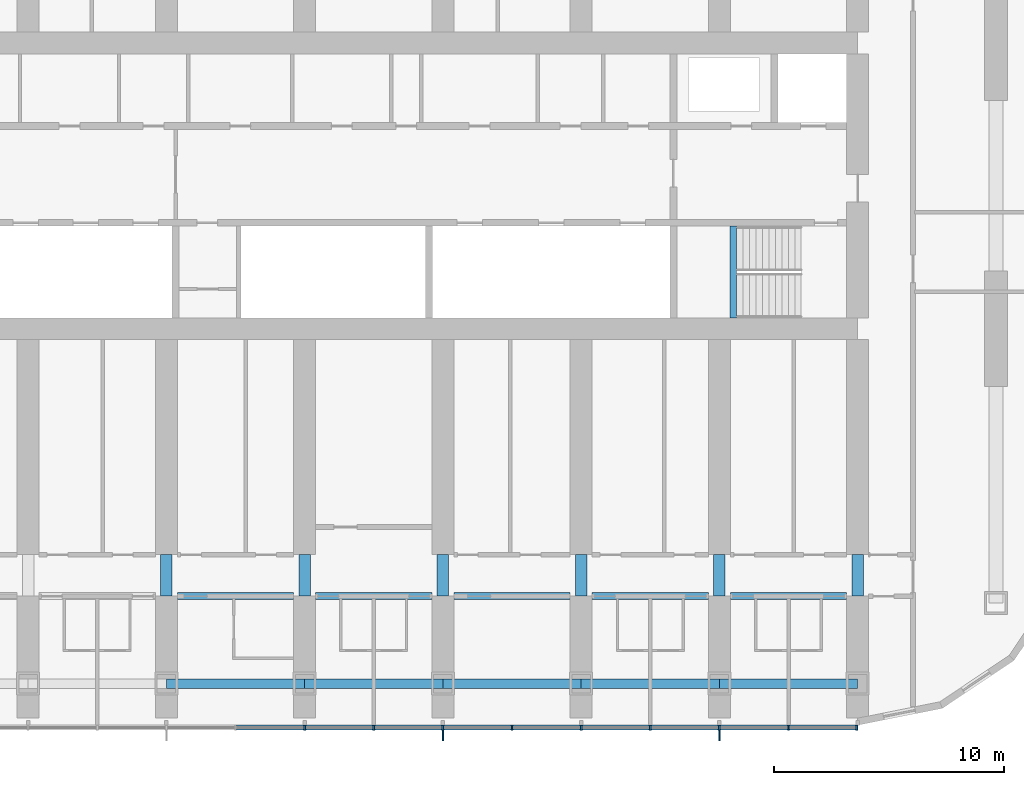
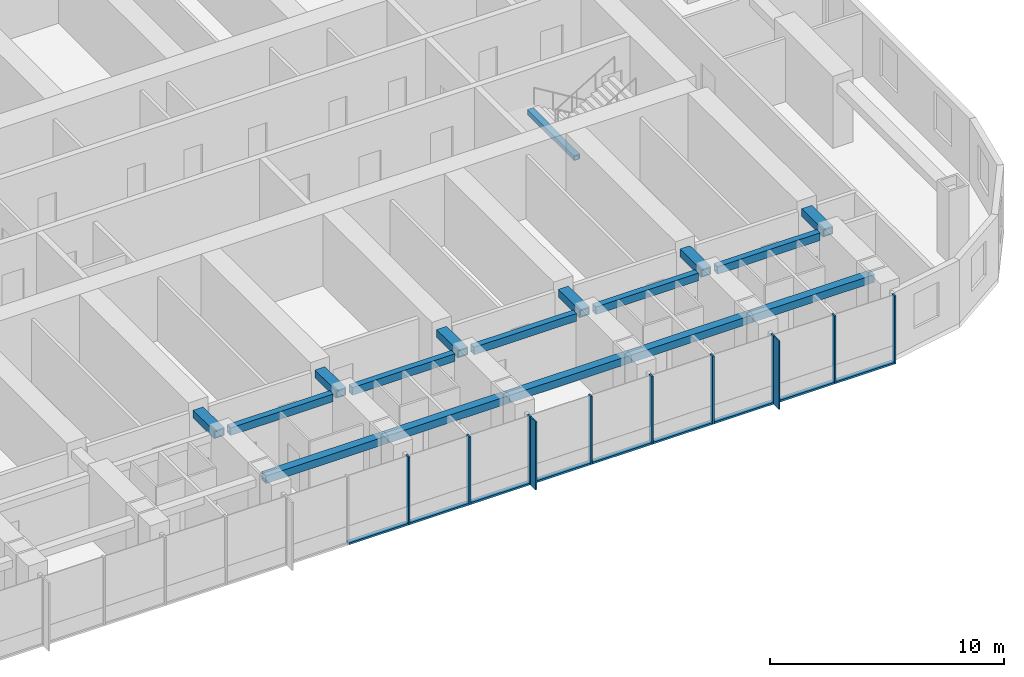
# One storey, part 3 of 21: 20 members, 17 beams, 1 element without a shape of its own.
"""IFC4 building model written with IfcOpenShell, lengths in metres."""

from ifc_helpers import new_model, si_unit, direction, frame, origin, origin_2d, place, context, subcontext, project, spatial, rectangle, hollow_rectangle, extrude, material, material_profile, profile_set, type_object, element, aggregate, save


model = new_model("IFC4")

# Units and contexts
model_context = context("Model", 3, precision=1e-05, world=origin(), true_north=direction((0.0, 1.0)))
body_context = subcontext(model_context, "Body", "Model", "MODEL_VIEW")
ifc_project = project(units=[si_unit("LENGTHUNIT", "METRE"), si_unit("AREAUNIT", "SQUARE_METRE"), si_unit("VOLUMEUNIT", "CUBIC_METRE"), si_unit("PLANEANGLEUNIT", "RADIAN"), si_unit("MASSUNIT", "GRAM", prefix="KILO")], contexts=[model_context])

# Site, building, storey
site_placement = place(None, origin())
site = spatial("IfcSite", under=ifc_project, at=site_placement, CompositionType="ELEMENT")
building_placement = place(site_placement, origin())
building = spatial("IfcBuilding", under=site, at=building_placement, Name="Orbita Commons", CompositionType="ELEMENT")
storey_placement = place(building_placement, frame((0.0, 0.0, 95.64990234375)))
storey = spatial("IfcBuildingStorey", under=building, at=storey_placement, Name="L23", CompositionType="ELEMENT", Elevation=95.64990234375)

# Curtain wall, members
ifc_material_1 = material(Name="Anodised aluminium frame, pale silver", Category="aluminium")
curtain_wall_type = type_object("IfcCurtainWallType", Name="Unitised curtain wall CW-T, vision and spandrel", PredefinedType="NOTDEFINED", material=ifc_material_1)
curtain_wall_placement = place(storey_placement, origin())
curtain_wall = element("IfcCurtainWall", 1, at=curtain_wall_placement, inside=storey, type_object=curtain_wall_type, Name="Curtain wall south L23", PredefinedType="NOTDEFINED")
ifc_material_2 = material(Name="Anodised aluminium, pale silver", Category="aluminium")
ifc_material_profile_1 = material_profile(ifc_material_2, rectangle(XDim=0.080078125, YDim=0.219970703125, at=origin_2d()), Name="AL 80x220")
ifc_profile_set_1 = profile_set([ifc_material_profile_1], Name="Anodised aluminium, pale silver")
member_type_1 = type_object("IfcMemberType", Name="Curtain wall mullion 80x220", PredefinedType="MULLION", material=ifc_profile_set_1)
member_1_placement = place(storey_placement, frame((42.0, 8.489990234375, -0.25), z_axis=(0.0, 0.0, 1.0), x_axis=(1.0, 0.0, 0.0)))
member_1 = element("IfcMember", 2, at=member_1_placement, type_object=member_type_1, Name="Mullion 11 CW-L23-S", PredefinedType="MULLION", context=body_context, shape_type="SweptSolid", body=[
    extrude(rectangle(XDim=0.080078125, YDim=0.219970703125, at=origin_2d()), origin(), (0.0, 0.0, 1.0), 3.550048828125),
])
member_2_placement = place(storey_placement, frame((45.0, 8.489990234375, -0.25), z_axis=(0.0, 0.0, 1.0), x_axis=(1.0, 0.0, 0.0)))
member_2 = element("IfcMember", 3, at=member_2_placement, type_object=member_type_1, Name="Mullion 12 CW-L23-S", PredefinedType="MULLION", context=body_context, shape_type="SweptSolid", body=[
    extrude(rectangle(XDim=0.080078125, YDim=0.219970703125, at=origin_2d()), origin(), (0.0, 0.0, 1.0), 3.550048828125),
])
member_3_placement = place(storey_placement, frame((48.0, 8.489990234375, -0.25), z_axis=(0.0, 0.0, 1.0), x_axis=(1.0, 0.0, 0.0)))
member_3 = element("IfcMember", 4, at=member_3_placement, type_object=member_type_1, Name="Mullion 13 CW-L23-S", PredefinedType="MULLION", context=body_context, shape_type="SweptSolid", body=[
    extrude(rectangle(XDim=0.080078125, YDim=0.219970703125, at=origin_2d()), origin(), (0.0, 0.0, 1.0), 3.550048828125),
])
member_4_placement = place(storey_placement, frame((51.0, 8.489990234375, -0.25), z_axis=(0.0, 0.0, 1.0), x_axis=(1.0, 0.0, 0.0)))
member_4 = element("IfcMember", 5, at=member_4_placement, type_object=member_type_1, Name="Mullion 14 CW-L23-S", PredefinedType="MULLION", context=body_context, shape_type="SweptSolid", body=[
    extrude(rectangle(XDim=0.080078125, YDim=0.219970703125, at=origin_2d()), origin(), (0.0, 0.0, 1.0), 3.550048828125),
])
member_5_placement = place(storey_placement, frame((54.0, 8.489990234375, -0.25), z_axis=(0.0, 0.0, 1.0), x_axis=(1.0, 0.0, 0.0)))
member_5 = element("IfcMember", 6, at=member_5_placement, type_object=member_type_1, Name="Mullion 15 CW-L23-S", PredefinedType="MULLION", context=body_context, shape_type="SweptSolid", body=[
    extrude(rectangle(XDim=0.080078125, YDim=0.219970703125, at=origin_2d()), origin(), (0.0, 0.0, 1.0), 3.550048828125),
])
member_6_placement = place(storey_placement, frame((57.0, 8.489990234375, -0.25), z_axis=(0.0, 0.0, 1.0), x_axis=(1.0, 0.0, 0.0)))
member_6 = element("IfcMember", 7, at=member_6_placement, type_object=member_type_1, Name="Mullion 16 CW-L23-S", PredefinedType="MULLION", context=body_context, shape_type="SweptSolid", body=[
    extrude(rectangle(XDim=0.080078125, YDim=0.219970703125, at=origin_2d()), origin(), (0.0, 0.0, 1.0), 3.550048828125),
])
member_7_placement = place(storey_placement, frame((60.0, 8.489990234375, -0.25), z_axis=(0.0, 0.0, 1.0), x_axis=(1.0, 0.0, 0.0)))
member_7 = element("IfcMember", 8, at=member_7_placement, type_object=member_type_1, Name="Mullion 17 CW-L23-S", PredefinedType="MULLION", context=body_context, shape_type="SweptSolid", body=[
    extrude(rectangle(XDim=0.080078125, YDim=0.219970703125, at=origin_2d()), origin(), (0.0, 0.0, 1.0), 3.550048828125),
])
member_8_placement = place(storey_placement, frame((63.0, 8.489990234375, -0.25), z_axis=(0.0, 0.0, 1.0), x_axis=(1.0, 0.0, 0.0)))
member_8 = element("IfcMember", 9, at=member_8_placement, type_object=member_type_1, Name="Mullion 18 CW-L23-S", PredefinedType="MULLION", context=body_context, shape_type="SweptSolid", body=[
    extrude(rectangle(XDim=0.080078125, YDim=0.219970703125, at=origin_2d()), origin(), (0.0, 0.0, 1.0), 3.550048828125),
])
member_9_placement = place(storey_placement, frame((65.9599609375, 8.489990234375, -0.25), z_axis=(0.0, 0.0, 1.0), x_axis=(1.0, 0.0, 0.0)))
member_9 = element("IfcMember", 10, at=member_9_placement, type_object=member_type_1, Name="Mullion 19 CW-L23-S", PredefinedType="MULLION", context=body_context, shape_type="SweptSolid", body=[
    extrude(rectangle(XDim=0.080078125, YDim=0.219970703125, at=origin_2d()), origin(), (0.0, 0.0, 1.0), 3.550048828125),
])
ifc_material_3 = material(Name="Anodised aluminium, pale silver", Category="aluminium")
ifc_material_profile_2 = material_profile(ifc_material_3, rectangle(XDim=0.219970703125, YDim=0.10009765625, at=origin_2d()), Name="AL 220x100")
ifc_profile_set_2 = profile_set([ifc_material_profile_2], Name="Anodised aluminium, pale silver")
member_type_2 = type_object("IfcMemberType", Name="Curtain wall stack transom 220x100", PredefinedType="USERDEFINED", material=ifc_profile_set_2)
member_10_placement = place(storey_placement, frame((39.0400390625, 8.489990234375, -0.199951171875), z_axis=(1.0, 0.0, 0.0), x_axis=(0.0, 1.0, 0.0)))
member_10 = element("IfcMember", 11, at=member_10_placement, type_object=member_type_2, Name="Transom 10.1 CW-L23-S", ObjectType="TRANSOM", PredefinedType="USERDEFINED", context=body_context, shape_type="SweptSolid", body=[
    extrude(rectangle(XDim=0.219970703125, YDim=0.10009765625, at=origin_2d()), origin(), (0.0, 0.0, 1.0), 2.919921875),
])
member_11_placement = place(storey_placement, frame((42.0400390625, 8.489990234375, -0.199951171875), z_axis=(1.0, 0.0, 0.0), x_axis=(0.0, 1.0, 0.0)))
member_11 = element("IfcMember", 12, at=member_11_placement, type_object=member_type_2, Name="Transom 11.1 CW-L23-S", ObjectType="TRANSOM", PredefinedType="USERDEFINED", context=body_context, shape_type="SweptSolid", body=[
    extrude(rectangle(XDim=0.219970703125, YDim=0.10009765625, at=origin_2d()), origin(), (0.0, 0.0, 1.0), 2.919921875),
])
member_12_placement = place(storey_placement, frame((45.0400390625, 8.489990234375, -0.199951171875), z_axis=(1.0, 0.0, 0.0), x_axis=(0.0, 1.0, 0.0)))
member_12 = element("IfcMember", 13, at=member_12_placement, type_object=member_type_2, Name="Transom 12.1 CW-L23-S", ObjectType="TRANSOM", PredefinedType="USERDEFINED", context=body_context, shape_type="SweptSolid", body=[
    extrude(rectangle(XDim=0.219970703125, YDim=0.10009765625, at=origin_2d()), origin(), (0.0, 0.0, 1.0), 2.919921875),
])
member_13_placement = place(storey_placement, frame((48.0400390625, 8.489990234375, -0.199951171875), z_axis=(1.0, 0.0, 0.0), x_axis=(0.0, 1.0, 0.0)))
member_13 = element("IfcMember", 14, at=member_13_placement, type_object=member_type_2, Name="Transom 13.1 CW-L23-S", ObjectType="TRANSOM", PredefinedType="USERDEFINED", context=body_context, shape_type="SweptSolid", body=[
    extrude(rectangle(XDim=0.219970703125, YDim=0.10009765625, at=origin_2d()), origin(), (0.0, 0.0, 1.0), 2.919921875),
])
member_14_placement = place(storey_placement, frame((51.0400390625, 8.489990234375, -0.199951171875), z_axis=(1.0, 0.0, 0.0), x_axis=(0.0, 1.0, 0.0)))
member_14 = element("IfcMember", 15, at=member_14_placement, type_object=member_type_2, Name="Transom 14.1 CW-L23-S", ObjectType="TRANSOM", PredefinedType="USERDEFINED", context=body_context, shape_type="SweptSolid", body=[
    extrude(rectangle(XDim=0.219970703125, YDim=0.10009765625, at=origin_2d()), origin(), (0.0, 0.0, 1.0), 2.919921875),
])
member_15_placement = place(storey_placement, frame((54.0400390625, 8.489990234375, -0.199951171875), z_axis=(1.0, 0.0, 0.0), x_axis=(0.0, 1.0, 0.0)))
member_15 = element("IfcMember", 16, at=member_15_placement, type_object=member_type_2, Name="Transom 15.1 CW-L23-S", ObjectType="TRANSOM", PredefinedType="USERDEFINED", context=body_context, shape_type="SweptSolid", body=[
    extrude(rectangle(XDim=0.219970703125, YDim=0.10009765625, at=origin_2d()), origin(), (0.0, 0.0, 1.0), 2.919921875),
])
member_16_placement = place(storey_placement, frame((57.0400390625, 8.489990234375, -0.199951171875), z_axis=(1.0, 0.0, 0.0), x_axis=(0.0, 1.0, 0.0)))
member_16 = element("IfcMember", 17, at=member_16_placement, type_object=member_type_2, Name="Transom 16.1 CW-L23-S", ObjectType="TRANSOM", PredefinedType="USERDEFINED", context=body_context, shape_type="SweptSolid", body=[
    extrude(rectangle(XDim=0.219970703125, YDim=0.10009765625, at=origin_2d()), origin(), (0.0, 0.0, 1.0), 2.919921875),
])
member_17_placement = place(storey_placement, frame((60.0400390625, 8.489990234375, -0.199951171875), z_axis=(1.0, 0.0, 0.0), x_axis=(0.0, 1.0, 0.0)))
member_17 = element("IfcMember", 18, at=member_17_placement, type_object=member_type_2, Name="Transom 17.1 CW-L23-S", ObjectType="TRANSOM", PredefinedType="USERDEFINED", context=body_context, shape_type="SweptSolid", body=[
    extrude(rectangle(XDim=0.219970703125, YDim=0.10009765625, at=origin_2d()), origin(), (0.0, 0.0, 1.0), 2.919921875),
])
member_18_placement = place(storey_placement, frame((63.0400390625, 8.489990234375, -0.199951171875), z_axis=(1.0, 0.0, 0.0), x_axis=(0.0, 1.0, 0.0)))
member_18 = element("IfcMember", 19, at=member_18_placement, type_object=member_type_2, Name="Transom 18.1 CW-L23-S", ObjectType="TRANSOM", PredefinedType="USERDEFINED", context=body_context, shape_type="SweptSolid", body=[
    extrude(rectangle(XDim=0.219970703125, YDim=0.10009765625, at=origin_2d()), origin(), (0.0, 0.0, 1.0), 2.8798828125),
])

# Beams
ifc_material_4 = material(Name="Steel ASTM A572 Gr 50 welded plate", Category="steel")
ifc_material_profile_3 = material_profile(ifc_material_4, hollow_rectangle(XDim=0.300048828125, YDim=0.25, WallThickness=0.02490234375, at=origin_2d()), Name="BOX 250x300x25")
ifc_profile_set_3 = profile_set([ifc_material_profile_3], Name="Steel ASTM A572 Gr 50 welded plate")
beam_type_1 = type_object("IfcBeamType", Name="Stair landing beam steel BOX 250x300x25", PredefinedType="BEAM", material=ifc_profile_set_3)
beam_placement = place(storey_placement, frame((60.60009765625, 26.260009765625, 1.550048828125), z_axis=(0.0, 1.0, 0.0), x_axis=(-1.0, 0.0, 0.0)))
element("IfcBeam", 20, at=beam_placement, inside=storey, type_object=beam_type_1, Name="Stair S2 landing beam L23 1", PredefinedType="BEAM", context=body_context, shape_type="SweptSolid", body=[
    extrude(hollow_rectangle(XDim=0.300048828125, YDim=0.25, WallThickness=0.02490234375, at=origin_2d()), origin(), (0.0, 0.0, 1.0), 4.0048828125),
])
ifc_material_5 = material(Name="Steel ASTM A572 Gr 50 welded plate", Category="steel")
ifc_material_profile_4 = material_profile(ifc_material_5, hollow_rectangle(XDim=0.300048828125, YDim=0.39990234375, WallThickness=0.0400390625, at=origin_2d()), Name="BOX 400x300x40")
ifc_profile_set_4 = profile_set([ifc_material_profile_4], Name="Steel ASTM A572 Gr 50 welded plate")
beam_type_2 = type_object("IfcBeamType", Name="Steel corridor link BOX 400x300x40", PredefinedType="BEAM", material=ifc_profile_set_4)
for number, where, z_axis, x_axis, name in (
    (21, (36.47509765625, 14.199951171875, 3.10009765625), (1.0, 0.0, 0.0), (0.0, 1.0, 0.0), "Corridor beam SA 7-8 L23"),
    (22, (42.47509765625, 14.199951171875, 3.10009765625), (1.0, 0.0, 0.0), (0.0, 1.0, 0.0), "Corridor beam SA 8-9 L23"),
    (23, (48.47509765625, 14.199951171875, 3.10009765625), (1.0, 0.0, 0.0), (0.0, 1.0, 0.0), "Corridor beam SA 9-10 L23"),
    (24, (54.47509765625, 14.199951171875, 3.10009765625), (1.0, 0.0, 0.0), (0.0, 1.0, 0.0), "Corridor beam SA 10-11 L23"),
    (25, (60.47509765625, 14.199951171875, 3.10009765625), (1.0, 0.0, 0.0), (0.0, 1.0, 0.0), "Corridor beam SA 11-12 L23"),
):
    element("IfcBeam", number, at=place(storey_placement, frame(where, z_axis=z_axis, x_axis=x_axis)), inside=storey, type_object=beam_type_2, Name=name, PredefinedType="BEAM", context=body_context, shape_type="SweptSolid", body=[
        extrude(hollow_rectangle(XDim=0.300048828125, YDim=0.39990234375, WallThickness=0.0400390625, at=origin_2d()), origin(), (0.0, 0.0, 1.0), 5.0498046875),
    ])
ifc_material_6 = material(Name="Steel ASTM A572 Gr 50 welded plate", Category="steel")
ifc_material_profile_5 = material_profile(ifc_material_6, hollow_rectangle(XDim=0.5, YDim=0.39990234375, WallThickness=0.050048828125, at=origin_2d()), Name="BOX 400x500x50")
ifc_profile_set_5 = profile_set([ifc_material_profile_5], Name="Steel ASTM A572 Gr 50 welded plate")
beam_type_3 = type_object("IfcBeamType", Name="Steel coupling link BOX 400x500x50", PredefinedType="LINTEL", material=ifc_profile_set_5)
for number, where, z_axis, x_axis, name in (
    (26, (36.0, 14.199951171875, 3.10009765625), (0.0, 1.0, 0.0), (-1.0, 0.0, 0.0), "Coupling beam 7 south L23"),
    (27, (42.0, 14.199951171875, 3.10009765625), (0.0, 1.0, 0.0), (-1.0, 0.0, 0.0), "Coupling beam 8 south L23"),
    (28, (48.0, 14.199951171875, 3.10009765625), (0.0, 1.0, 0.0), (-1.0, 0.0, 0.0), "Coupling beam 9 south L23"),
    (29, (54.0, 14.199951171875, 3.10009765625), (0.0, 1.0, 0.0), (-1.0, 0.0, 0.0), "Coupling beam 10 south L23"),
    (30, (60.0, 14.199951171875, 3.10009765625), (0.0, 1.0, 0.0), (-1.0, 0.0, 0.0), "Coupling beam 11 south L23"),
    (31, (66.0, 14.199951171875, 3.10009765625), (0.0, 1.0, 0.0), (-1.0, 0.0, 0.0), "Coupling beam 12 south L23"),
):
    element("IfcBeam", number, at=place(storey_placement, frame(where, z_axis=z_axis, x_axis=x_axis)), inside=storey, type_object=beam_type_3, Name=name, PredefinedType="LINTEL", context=body_context, shape_type="SweptSolid", body=[
        extrude(hollow_rectangle(XDim=0.5, YDim=0.39990234375, WallThickness=0.050048828125, at=origin_2d()), origin(), (0.0, 0.0, 1.0), 1.800048828125),
    ])
ifc_material_7 = material(Name="Steel ASTM A572 Gr 50 welded plate", Category="steel")
ifc_material_profile_6 = material_profile(ifc_material_7, hollow_rectangle(XDim=0.39990234375, YDim=0.39990234375, WallThickness=0.0400390625, at=origin_2d()), Name="BOX 400x400x40")
ifc_profile_set_6 = profile_set([ifc_material_profile_6], Name="Steel ASTM A572 Gr 50 welded plate")
beam_type_4 = type_object("IfcBeamType", Name="Steel spandrel BOX 400x400x40", PredefinedType="SPANDREL", material=ifc_profile_set_6)
for number, where, z_axis, x_axis, name in (
    (32, (36.0, 10.39990234375, 3.10009765625), (1.0, 0.0, 0.0), (0.0, 1.0, 0.0), "Spandrel beam B 7-8 L23"),
    (33, (42.0, 10.39990234375, 3.10009765625), (1.0, 0.0, 0.0), (0.0, 1.0, 0.0), "Spandrel beam B 8-9 L23"),
    (34, (48.0, 10.39990234375, 3.10009765625), (1.0, 0.0, 0.0), (0.0, 1.0, 0.0), "Spandrel beam B 9-10 L23"),
    (35, (54.0, 10.39990234375, 3.10009765625), (1.0, 0.0, 0.0), (0.0, 1.0, 0.0), "Spandrel beam B 10-11 L23"),
    (36, (60.0, 10.39990234375, 3.10009765625), (1.0, 0.0, 0.0), (0.0, 1.0, 0.0), "Spandrel beam B 11-12 L23"),
):
    element("IfcBeam", number, at=place(storey_placement, frame(where, z_axis=z_axis, x_axis=x_axis)), inside=storey, type_object=beam_type_4, Name=name, PredefinedType="SPANDREL", context=body_context, shape_type="SweptSolid", body=[
        extrude(hollow_rectangle(XDim=0.39990234375, YDim=0.39990234375, WallThickness=0.0400390625, at=origin_2d()), origin(), (0.0, 0.0, 1.0), 6.0),
    ])

# Member
ifc_material_8 = material(Name="Anodised aluminium, pale silver", Category="aluminium")
ifc_material_profile_7 = material_profile(ifc_material_8, rectangle(XDim=0.06005859375, YDim=0.449951171875, at=origin_2d()), Name="FIN 60x450")
ifc_profile_set_7 = profile_set([ifc_material_profile_7], Name="Anodised aluminium, pale silver")
member_type_3 = type_object("IfcMemberType", Name="Vertical fin 60x450 pale aluminium", PredefinedType="USERDEFINED", material=ifc_profile_set_7)
member_19_placement = place(storey_placement, frame((48.0, 8.155029296875, -0.25), z_axis=(0.0, 0.0, 1.0), x_axis=(1.0, 0.0, 0.0)))
member_19 = element("IfcMember", 37, at=member_19_placement, type_object=member_type_3, Name="Fin 13 CW-L23-S", ObjectType="FIN", PredefinedType="USERDEFINED", context=body_context, shape_type="SweptSolid", body=[
    extrude(rectangle(XDim=0.06005859375, YDim=0.449951171875, at=origin_2d()), origin(), (0.0, 0.0, 1.0), 3.550048828125),
])

member_20_placement = place(storey_placement, frame((60.0, 8.155029296875, -0.25), z_axis=(0.0, 0.0, 1.0), x_axis=(1.0, 0.0, 0.0)))
member_20 = element("IfcMember", 38, at=member_20_placement, type_object=member_type_3, Name="Fin 17 CW-L23-S", ObjectType="FIN", PredefinedType="USERDEFINED", context=body_context, shape_type="SweptSolid", body=[
    extrude(rectangle(XDim=0.06005859375, YDim=0.449951171875, at=origin_2d()), origin(), (0.0, 0.0, 1.0), 3.550048828125),
])

aggregate(curtain_wall, [member_1, member_2, member_3, member_19, member_4, member_5, member_6, member_7, member_20, member_8, member_9, member_10, member_11, member_12, member_13, member_14, member_15, member_16, member_17, member_18])

save(model, "model.ifc")
